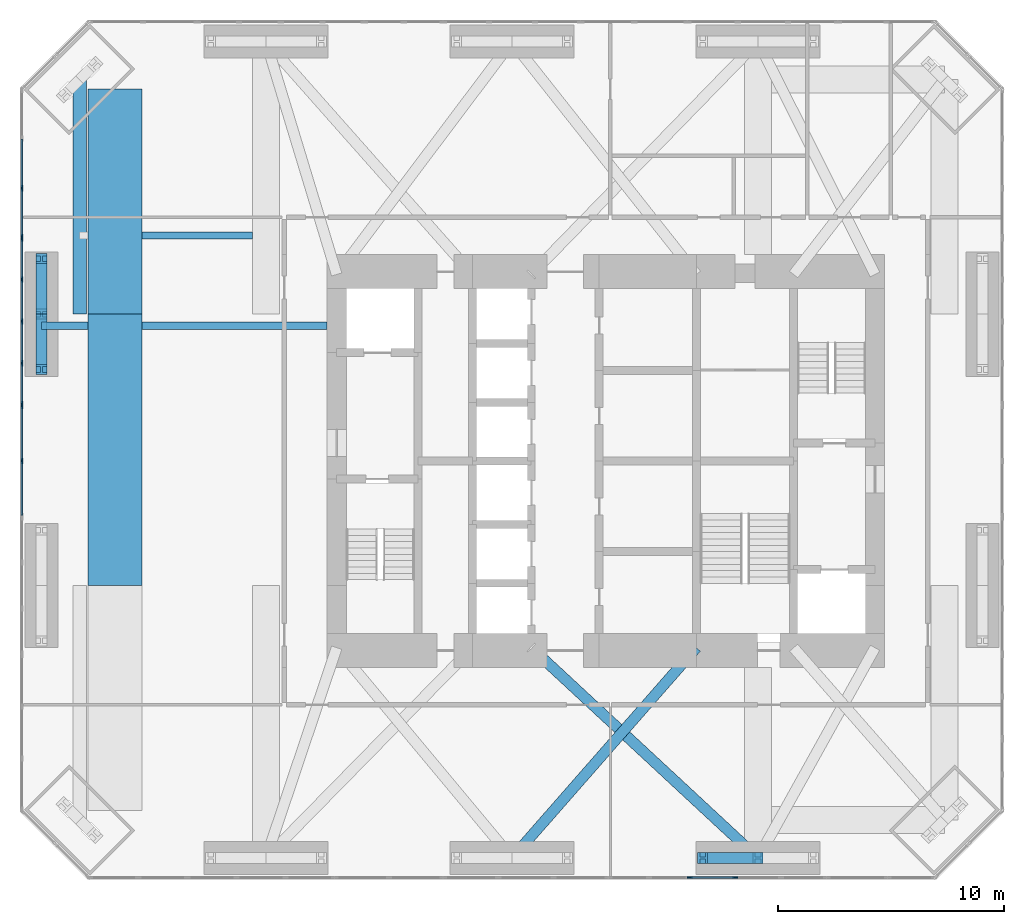
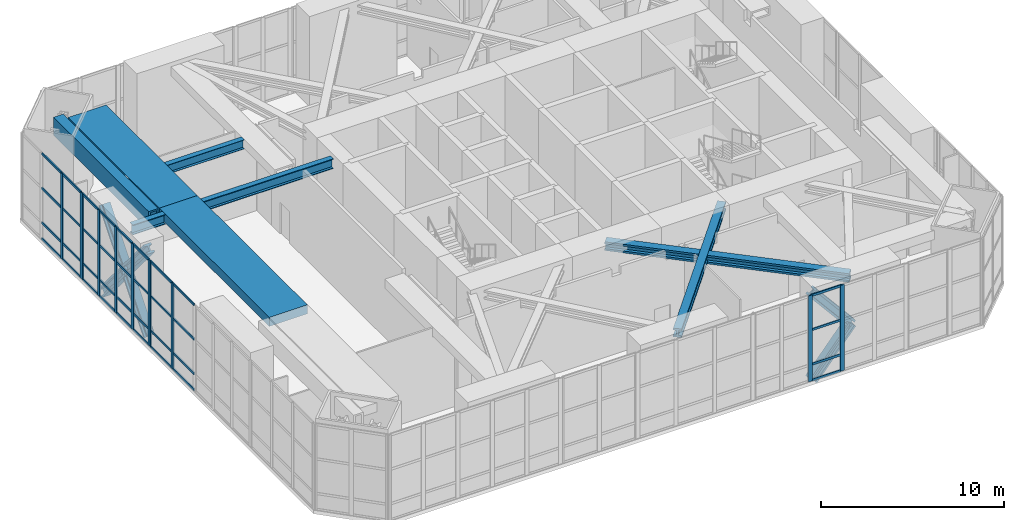
# One storey, part 4 of 18: 55 members, 6 beams, 4 elements without a shape of their own.
"""IFC4 building model written with IfcOpenShell, lengths in metres."""

from ifc_helpers import new_model, si_unit, direction, frame, origin, origin_2d, place, context, subcontext, project, spatial, rectangle, hollow_rectangle, i_section, extrude, material, material_profile, profile_set, type_object, element, aggregate, save


model = new_model("IFC4")

# Units and contexts
model_context = context("Model", 3, precision=1e-05, world=origin(), true_north=direction((0.0, 1.0)))
body_context = subcontext(model_context, "Body", "Model", "MODEL_VIEW")
ifc_project = project(units=[si_unit("LENGTHUNIT", "METRE"), si_unit("AREAUNIT", "SQUARE_METRE"), si_unit("VOLUMEUNIT", "CUBIC_METRE"), si_unit("PLANEANGLEUNIT", "RADIAN"), si_unit("MASSUNIT", "GRAM", prefix="KILO")], contexts=[model_context])

# Site, building, storey
site_placement = place(None, origin())
site = spatial("IfcSite", under=ifc_project, at=site_placement, CompositionType="ELEMENT")
building_placement = place(site_placement, origin())
building = spatial("IfcBuilding", under=site, at=building_placement, Name="Jalousie Tower", CompositionType="ELEMENT")
storey_placement = place(building_placement, frame((0.0, 0.0, 138.35009765625)))
storey = spatial("IfcBuildingStorey", under=building, at=storey_placement, Name="L38", CompositionType="ELEMENT", Elevation=138.35009765625)

# Members
ifc_material_1 = material(Name="Steel ASTM A992 Grade 50", Category="steel")
ifc_material_profile_1 = material_profile(ifc_material_1, i_section(OverallWidth=0.472412109375, OverallDepth=0.5791015625, WebThickness=0.094970703125, FlangeThickness=0.1298828125, at=origin_2d()), Name="W14X808")
ifc_profile_set_1 = profile_set([ifc_material_profile_1], Name="Steel ASTM A992 Grade 50")
member_type_1 = type_object("IfcMemberType", Name="KINK FLOOR TRUSS DIAGONAL W14X808", PredefinedType="BRACE", material=ifc_profile_set_1)
member_1_placement = place(storey_placement, frame((27.75, 0.949951171875, 5.430419921875), z_axis=(0.659070512372, 0.752081152351, 0.0), x_axis=(-0.752081152351, 0.659070512372, 0.0)))
element("IfcMember", 1, at=member_1_placement, inside=storey, type_object=member_type_1, Name="Kink floor truss L39 03 diagonal", PredefinedType="BRACE", context=body_context, shape_type="SweptSolid", body=[
    extrude(i_section(OverallWidth=0.472412109375, OverallDepth=0.5791015625, WebThickness=0.094970703125, FlangeThickness=0.1298828125, at=origin_2d()), origin(), (0.0, 0.0, 1.0), 12.36572265625),
])
member_2_placement = place(storey_placement, frame((38.625, 0.949951171875, 5.430419921875), z_axis=(-0.733113898794, 0.680105882489, 0.0), x_axis=(-0.680105882489, -0.733113898794, 0.0)))
element("IfcMember", 2, at=member_2_placement, inside=storey, type_object=member_type_1, Name="Kink floor truss L39 04 diagonal", PredefinedType="BRACE", context=body_context, shape_type="SweptSolid", body=[
    extrude(i_section(OverallWidth=0.472412109375, OverallDepth=0.5791015625, WebThickness=0.094970703125, FlangeThickness=0.1298828125, at=origin_2d()), origin(), (0.0, 0.0, 1.0), 13.67431640625),
])

# Beam
ifc_material_2 = material(Name="Steel ASTM A572 Grade 50 plate", Category="steel")
ifc_material_profile_2 = material_profile(ifc_material_2, hollow_rectangle(XDim=0.60009765625, YDim=1.199951171875, WallThickness=0.10009765625, at=origin_2d()), Name="BOX 1200x600x100")
ifc_profile_set_2 = profile_set([ifc_material_profile_2], Name="Steel ASTM A572 Grade 50 plate")
beam_type_1 = type_object("IfcBeamType", Name="KINK TIE BOX 1200x600x100", PredefinedType="BEAM", material=ifc_profile_set_2)
beam_1_placement = place(storey_placement, frame((8.63134765625, 35.36865234375, 5.119873046875), z_axis=(0.0, -1.0, 0.0), x_axis=(1.0, 0.0, 0.0)))
element("IfcBeam", 3, at=beam_1_placement, inside=storey, type_object=beam_type_1, Name="Kink tie under L39", PredefinedType="BEAM", context=body_context, shape_type="SweptSolid", body=[
    extrude(hollow_rectangle(XDim=0.60009765625, YDim=1.199951171875, WallThickness=0.10009765625, at=origin_2d()), origin(), (0.0, 0.0, 1.0), 10.36865234375),
])

# Members
ifc_material_3 = material(Name="Steel ASTM A992 Grade 50", Category="steel")
ifc_material_profile_3 = material_profile(ifc_material_3, i_section(OverallWidth=0.472412109375, OverallDepth=0.5791015625, WebThickness=0.094970703125, FlangeThickness=0.1298828125, at=origin_2d()), Name="W14X808")
ifc_profile_set_3 = profile_set([ifc_material_profile_3], Name="Steel ASTM A992 Grade 50")
member_type_2 = type_object("IfcMemberType", Name="PERIMETER BRACE W14X808", PredefinedType="BRACE", material=ifc_profile_set_3)
for number, where, z_axis, x_axis, name in (
    (4, (36.175048828125, 0.949951171875, -0.60009765625), (0.642101988506, 0.0, 0.766619225141), (0.0, 1.0, 0.0), "Perimeter brace 04 L38 part 1"),
    (5, (38.625, 0.949951171875, 2.324951171875), (-0.642101988506, 0.0, 0.766619225141), (0.0, -1.0, 0.0), "Perimeter brace 04 L38 part 4"),
    (6, (6.949951171875, 22.550048828125, -0.60009765625), (0.0, 0.642101988506, 0.766619225141), (-1.0, 0.0, 0.0), "Perimeter brace 13 L38 part 1"),
    (7, (6.949951171875, 25.0, 2.324951171875), (0.0, 0.642101988506, 0.766619225141), (-1.0, 0.0, 0.0), "Perimeter brace 13 L38 part 2"),
    (8, (6.949951171875, 27.449951171875, -0.60009765625), (0.0, -0.642101988506, 0.766619225141), (1.0, 0.0, 0.0), "Perimeter brace 13 L38 part 3"),
    (9, (6.949951171875, 25.0, 2.324951171875), (0.0, -0.642101988506, 0.766619225141), (1.0, 0.0, 0.0), "Perimeter brace 13 L38 part 4"),
):
    element("IfcMember", number, at=place(storey_placement, frame(where, z_axis=z_axis, x_axis=x_axis)), inside=storey, type_object=member_type_2, Name=name, PredefinedType="BRACE", context=body_context, shape_type="SweptSolid", body=[
        extrude(i_section(OverallWidth=0.472412109375, OverallDepth=0.5791015625, WebThickness=0.094970703125, FlangeThickness=0.1298828125, at=origin_2d()), origin(), (0.0, 0.0, 1.0), 3.8154296875),
    ])

# Beams
ifc_material_4 = material(Name="Steel ASTM A992 Grade 50", Category="steel")
ifc_material_profile_4 = material_profile(ifc_material_4, i_section(OverallWidth=0.3251953125, OverallDepth=0.612060546875, WebThickness=0.0126953125, FlangeThickness=0.01904296875, at=origin_2d()), Name="W24X104")
ifc_profile_set_4 = profile_set([ifc_material_profile_4], Name="Steel ASTM A992 Grade 50")
beam_type_2 = type_object("IfcBeamType", Name="PLANT FLOOR BEAM W24X104", PredefinedType="BEAM", material=ifc_profile_set_4)
beam_2_placement = place(storey_placement, frame((11.39990234375, 28.47509765625, 5.413818359375), z_axis=(1.0, 0.0, 0.0), x_axis=(0.0, 1.0, 0.0)))
element("IfcBeam", 10, at=beam_2_placement, inside=storey, type_object=beam_type_2, Name="Plant floor beam under Electrical plant room L39", PredefinedType="BEAM", context=body_context, shape_type="SweptSolid", body=[
    extrude(i_section(OverallWidth=0.3251953125, OverallDepth=0.612060546875, WebThickness=0.0126953125, FlangeThickness=0.01904296875, at=origin_2d()), origin(), (0.0, 0.0, 1.0), 4.875),
])
ifc_material_5 = material(Name="Steel ASTM A992 Grade 50", Category="steel")
ifc_material_profile_5 = material_profile(ifc_material_5, i_section(OverallWidth=0.332763671875, OverallDepth=0.660400390625, WebThickness=0.0244140625, FlangeThickness=0.0439453125, at=origin_2d()), Name="W24X229")
ifc_profile_set_5 = profile_set([ifc_material_profile_5], Name="Steel ASTM A992 Grade 50")
beam_type_3 = type_object("IfcBeamType", Name="PLANT FLOOR BEAM W24X229", PredefinedType="BEAM", material=ifc_profile_set_5)
beam_3_placement = place(storey_placement, frame((6.949951171875, 24.485107421875, 5.3896484375), z_axis=(1.0, 0.0, 0.0), x_axis=(0.0, 1.0, 0.0)))
element("IfcBeam", 11, at=beam_3_placement, inside=storey, type_object=beam_type_3, Name="Plant floor beam under Electrical plant room L39", PredefinedType="BEAM", context=body_context, shape_type="SweptSolid", body=[
    extrude(i_section(OverallWidth=0.332763671875, OverallDepth=0.660400390625, WebThickness=0.0244140625, FlangeThickness=0.0439453125, at=origin_2d()), origin(), (0.0, 0.0, 1.0), 2.050048828125),
])
beam_4_placement = place(storey_placement, frame((11.39990234375, 24.485107421875, 5.3896484375), z_axis=(1.0, 0.0, 0.0), x_axis=(0.0, 1.0, 0.0)))
element("IfcBeam", 12, at=beam_4_placement, inside=storey, type_object=beam_type_3, Name="Plant floor beam under Electrical plant room L39", PredefinedType="BEAM", context=body_context, shape_type="SweptSolid", body=[
    extrude(i_section(OverallWidth=0.332763671875, OverallDepth=0.660400390625, WebThickness=0.0244140625, FlangeThickness=0.0439453125, at=origin_2d()), origin(), (0.0, 0.0, 1.0), 8.175048828125),
])
ifc_material_6 = material(Name="Concrete f'c 40 MPa", Category="concrete")
ifc_material_profile_6 = material_profile(ifc_material_6, rectangle(XDim=2.39990234375, YDim=0.60009765625, at=origin_2d()), Name="RC 2400x600")
ifc_profile_set_6 = profile_set([ifc_material_profile_6], Name="Concrete f'c 40 MPa")
beam_type_4 = type_object("IfcBeamType", Name="RC BEAM 2400x600", PredefinedType="BEAM", material=ifc_profile_set_6)
beam_5_placement = place(storey_placement, frame((10.199951171875, 13.0, 5.419921875), z_axis=(0.0, 1.0, 0.0), x_axis=(-1.0, 0.0, 0.0)))
element("IfcBeam", 13, at=beam_5_placement, inside=storey, type_object=beam_type_4, Name="Floor band beam under L39", PredefinedType="BEAM", context=body_context, shape_type="SweptSolid", body=[
    extrude(rectangle(XDim=2.39990234375, YDim=0.60009765625, at=origin_2d()), origin(), (0.0, 0.0, 1.0), 12.0),
])
beam_6_placement = place(storey_placement, frame((10.199951171875, 25.0, 5.419921875), z_axis=(0.0, 1.0, 0.0), x_axis=(-1.0, 0.0, 0.0)))
element("IfcBeam", 14, at=beam_6_placement, inside=storey, type_object=beam_type_4, Name="Floor band beam under L39", PredefinedType="BEAM", context=body_context, shape_type="SweptSolid", body=[
    extrude(rectangle(XDim=2.39990234375, YDim=0.60009765625, at=origin_2d()), origin(), (0.0, 0.0, 1.0), 9.957275390625),
])

# Curtain wall, members
ifc_material_7 = material(Name="Aluminium curtain wall", Category="aluminium")
curtain_wall_type_1 = type_object("IfcCurtainWallType", Name="SKY LOUNGE SPANDREL WALL", PredefinedType="USERDEFINED", material=ifc_material_7)
curtain_wall_1_placement = place(storey_placement, origin())
curtain_wall_1 = element("IfcCurtainWall", 15, at=curtain_wall_1_placement, inside=storey, type_object=curtain_wall_type_1, Name="Sky Lounge Spandrel Wall L38 5", ObjectType="SKY LOUNGE SPANDREL WALL", PredefinedType="USERDEFINED")
ifc_material_8 = material(Name="Aluminium mullion", Category="aluminium")
ifc_material_profile_7 = material_profile(ifc_material_8, rectangle(XDim=0.074951171875, YDim=0.25, at=origin_2d()), Name="MULLION 75x250")
ifc_profile_set_7 = profile_set([ifc_material_profile_7], Name="Aluminium mullion")
member_type_3 = type_object("IfcMemberType", Name="SKY LOUNGE SPANDREL WALL MULLION", PredefinedType="MULLION", material=ifc_profile_set_7)
member_3_placement = place(storey_placement, frame((35.622802734375, 0.08740234375, 0.0), z_axis=(0.0, 0.0, 1.0), x_axis=(0.0, 1.0, 0.0)))
member_3 = element("IfcMember", 16, at=member_3_placement, type_object=member_type_3, Name="CW-KS mullion 1", PredefinedType="MULLION", context=body_context, shape_type="SweptSolid", body=[
    extrude(rectangle(XDim=0.074951171875, YDim=0.25, at=origin_2d()), origin(), (0.0, 0.0, 1.0), 5.719970703125),
])
member_4_placement = place(storey_placement, frame((37.61181640625, 0.08740234375, 0.0), z_axis=(0.0, 0.0, 1.0), x_axis=(0.0, 1.0, 0.0)))
member_4 = element("IfcMember", 17, at=member_4_placement, type_object=member_type_3, Name="CW-KS mullion 2", PredefinedType="MULLION", context=body_context, shape_type="SweptSolid", body=[
    extrude(rectangle(XDim=0.074951171875, YDim=0.25, at=origin_2d()), origin(), (0.0, 0.0, 1.0), 5.719970703125),
])

curtain_wall_2_placement = place(storey_placement, origin())
curtain_wall_2 = element("IfcCurtainWall", 18, at=curtain_wall_2_placement, inside=storey, type_object=curtain_wall_type_1, Name="Sky Lounge Spandrel Wall L38 62", ObjectType="SKY LOUNGE SPANDREL WALL", PredefinedType="USERDEFINED")
member_5_placement = place(storey_placement, frame((6.08740234375, 28.335205078125, 0.0), z_axis=(0.0, 0.0, 1.0), x_axis=(1.0, 0.0, 0.0)))
member_5 = element("IfcMember", 19, at=member_5_placement, type_object=member_type_3, Name="CW-KS mullion 1", PredefinedType="MULLION", context=body_context, shape_type="SweptSolid", body=[
    extrude(rectangle(XDim=0.074951171875, YDim=0.25, at=origin_2d()), origin(), (0.0, 0.0, 1.0), 5.719970703125),
])
member_6_placement = place(storey_placement, frame((6.08740234375, 26.5244140625, 0.0), z_axis=(0.0, 0.0, 1.0), x_axis=(1.0, 0.0, 0.0)))
member_6 = element("IfcMember", 20, at=member_6_placement, type_object=member_type_3, Name="CW-KS mullion 2", PredefinedType="MULLION", context=body_context, shape_type="SweptSolid", body=[
    extrude(rectangle(XDim=0.074951171875, YDim=0.25, at=origin_2d()), origin(), (0.0, 0.0, 1.0), 5.719970703125),
])
member_7_placement = place(storey_placement, frame((6.08740234375, 24.67626953125, 0.0), z_axis=(0.0, 0.0, 1.0), x_axis=(1.0, 0.0, 0.0)))
member_7 = element("IfcMember", 21, at=member_7_placement, type_object=member_type_3, Name="CW-KS mullion 3", PredefinedType="MULLION", context=body_context, shape_type="SweptSolid", body=[
    extrude(rectangle(XDim=0.074951171875, YDim=0.25, at=origin_2d()), origin(), (0.0, 0.0, 1.0), 5.719970703125),
])
member_8_placement = place(storey_placement, frame((6.08740234375, 22.828125, 0.0), z_axis=(0.0, 0.0, 1.0), x_axis=(1.0, 0.0, 0.0)))
member_8 = element("IfcMember", 22, at=member_8_placement, type_object=member_type_3, Name="CW-KS mullion 4", PredefinedType="MULLION", context=body_context, shape_type="SweptSolid", body=[
    extrude(rectangle(XDim=0.074951171875, YDim=0.25, at=origin_2d()), origin(), (0.0, 0.0, 1.0), 5.719970703125),
])
member_9_placement = place(storey_placement, frame((6.08740234375, 21.017578125, 0.0), z_axis=(0.0, 0.0, 1.0), x_axis=(1.0, 0.0, 0.0)))
member_9 = element("IfcMember", 23, at=member_9_placement, type_object=member_type_3, Name="CW-KS mullion 5", PredefinedType="MULLION", context=body_context, shape_type="SweptSolid", body=[
    extrude(rectangle(XDim=0.074951171875, YDim=0.25, at=origin_2d()), origin(), (0.0, 0.0, 1.0), 5.719970703125),
])

# Member
ifc_material_9 = material(Name="Aluminium transom", Category="aluminium")
ifc_material_profile_8 = material_profile(ifc_material_9, rectangle(XDim=0.074951171875, YDim=0.14990234375, at=origin_2d()), Name="TRANSOM 75x150")
ifc_profile_set_8 = profile_set([ifc_material_profile_8], Name="Aluminium transom")
member_type_4 = type_object("IfcMemberType", Name="SKY LOUNGE SPANDREL WALL TRANSOM", PredefinedType="USERDEFINED", material=ifc_profile_set_8)
member_10_placement = place(storey_placement, frame((35.660400390625, 0.08740234375, 0.037353515625), z_axis=(1.0, 0.0, 0.0), x_axis=(0.0, 1.0, 0.0)))
member_10 = element("IfcMember", 24, at=member_10_placement, type_object=member_type_4, Name="CW-KS transom 1.1", ObjectType="TRANSOM", PredefinedType="USERDEFINED", context=body_context, shape_type="SweptSolid", body=[
    extrude(rectangle(XDim=0.074951171875, YDim=0.14990234375, at=origin_2d()), origin(), (0.0, 0.0, 1.0), 1.913818359375),
])

member_11_placement = place(storey_placement, frame((35.660400390625, 0.08740234375, 1.099853515625), z_axis=(1.0, 0.0, 0.0), x_axis=(0.0, 1.0, 0.0)))
member_11 = element("IfcMember", 25, at=member_11_placement, type_object=member_type_4, Name="CW-KS transom 1.2", ObjectType="TRANSOM", PredefinedType="USERDEFINED", context=body_context, shape_type="SweptSolid", body=[
    extrude(rectangle(XDim=0.074951171875, YDim=0.14990234375, at=origin_2d()), origin(), (0.0, 0.0, 1.0), 1.913818359375),
])

member_12_placement = place(storey_placement, frame((35.660400390625, 0.08740234375, 3.39990234375), z_axis=(1.0, 0.0, 0.0), x_axis=(0.0, 1.0, 0.0)))
member_12 = element("IfcMember", 26, at=member_12_placement, type_object=member_type_4, Name="CW-KS transom 1.3", ObjectType="TRANSOM", PredefinedType="USERDEFINED", context=body_context, shape_type="SweptSolid", body=[
    extrude(rectangle(XDim=0.074951171875, YDim=0.14990234375, at=origin_2d()), origin(), (0.0, 0.0, 1.0), 1.913818359375),
])

member_13_placement = place(storey_placement, frame((35.660400390625, 0.08740234375, 5.682373046875), z_axis=(1.0, 0.0, 0.0), x_axis=(0.0, 1.0, 0.0)))
member_13 = element("IfcMember", 27, at=member_13_placement, type_object=member_type_4, Name="CW-KS transom 1.4", ObjectType="TRANSOM", PredefinedType="USERDEFINED", context=body_context, shape_type="SweptSolid", body=[
    extrude(rectangle(XDim=0.074951171875, YDim=0.14990234375, at=origin_2d()), origin(), (0.0, 0.0, 1.0), 1.913818359375),
])

aggregate(curtain_wall_1, [member_3, member_4, member_10, member_11, member_12, member_13])

member_14_placement = place(storey_placement, frame((6.08740234375, 28.297607421875, 0.037353515625), z_axis=(0.0, -1.0, 0.0), x_axis=(1.0, 0.0, 0.0)))
member_14 = element("IfcMember", 28, at=member_14_placement, type_object=member_type_4, Name="CW-KS transom 1.1", ObjectType="TRANSOM", PredefinedType="USERDEFINED", context=body_context, shape_type="SweptSolid", body=[
    extrude(rectangle(XDim=0.074951171875, YDim=0.14990234375, at=origin_2d()), origin(), (0.0, 0.0, 1.0), 1.735595703125),
])

member_15_placement = place(storey_placement, frame((6.08740234375, 28.297607421875, 1.099853515625), z_axis=(0.0, -1.0, 0.0), x_axis=(1.0, 0.0, 0.0)))
member_15 = element("IfcMember", 29, at=member_15_placement, type_object=member_type_4, Name="CW-KS transom 1.2", ObjectType="TRANSOM", PredefinedType="USERDEFINED", context=body_context, shape_type="SweptSolid", body=[
    extrude(rectangle(XDim=0.074951171875, YDim=0.14990234375, at=origin_2d()), origin(), (0.0, 0.0, 1.0), 1.735595703125),
])

member_16_placement = place(storey_placement, frame((6.08740234375, 28.297607421875, 3.39990234375), z_axis=(0.0, -1.0, 0.0), x_axis=(1.0, 0.0, 0.0)))
member_16 = element("IfcMember", 30, at=member_16_placement, type_object=member_type_4, Name="CW-KS transom 1.3", ObjectType="TRANSOM", PredefinedType="USERDEFINED", context=body_context, shape_type="SweptSolid", body=[
    extrude(rectangle(XDim=0.074951171875, YDim=0.14990234375, at=origin_2d()), origin(), (0.0, 0.0, 1.0), 1.735595703125),
])

member_17_placement = place(storey_placement, frame((6.08740234375, 28.297607421875, 5.682373046875), z_axis=(0.0, -1.0, 0.0), x_axis=(1.0, 0.0, 0.0)))
member_17 = element("IfcMember", 31, at=member_17_placement, type_object=member_type_4, Name="CW-KS transom 1.4", ObjectType="TRANSOM", PredefinedType="USERDEFINED", context=body_context, shape_type="SweptSolid", body=[
    extrude(rectangle(XDim=0.074951171875, YDim=0.14990234375, at=origin_2d()), origin(), (0.0, 0.0, 1.0), 1.735595703125),
])

member_18_placement = place(storey_placement, frame((6.08740234375, 26.487060546875, 0.037353515625), z_axis=(0.0, -1.0, 0.0), x_axis=(1.0, 0.0, 0.0)))
member_18 = element("IfcMember", 32, at=member_18_placement, type_object=member_type_4, Name="CW-KS transom 2.1", ObjectType="TRANSOM", PredefinedType="USERDEFINED", context=body_context, shape_type="SweptSolid", body=[
    extrude(rectangle(XDim=0.074951171875, YDim=0.14990234375, at=origin_2d()), origin(), (0.0, 0.0, 1.0), 1.773193359375),
])

member_19_placement = place(storey_placement, frame((6.08740234375, 26.487060546875, 1.099853515625), z_axis=(0.0, -1.0, 0.0), x_axis=(1.0, 0.0, 0.0)))
member_19 = element("IfcMember", 33, at=member_19_placement, type_object=member_type_4, Name="CW-KS transom 2.2", ObjectType="TRANSOM", PredefinedType="USERDEFINED", context=body_context, shape_type="SweptSolid", body=[
    extrude(rectangle(XDim=0.074951171875, YDim=0.14990234375, at=origin_2d()), origin(), (0.0, 0.0, 1.0), 1.773193359375),
])

member_20_placement = place(storey_placement, frame((6.08740234375, 26.487060546875, 3.39990234375), z_axis=(0.0, -1.0, 0.0), x_axis=(1.0, 0.0, 0.0)))
member_20 = element("IfcMember", 34, at=member_20_placement, type_object=member_type_4, Name="CW-KS transom 2.3", ObjectType="TRANSOM", PredefinedType="USERDEFINED", context=body_context, shape_type="SweptSolid", body=[
    extrude(rectangle(XDim=0.074951171875, YDim=0.14990234375, at=origin_2d()), origin(), (0.0, 0.0, 1.0), 1.773193359375),
])

member_21_placement = place(storey_placement, frame((6.08740234375, 26.487060546875, 5.682373046875), z_axis=(0.0, -1.0, 0.0), x_axis=(1.0, 0.0, 0.0)))
member_21 = element("IfcMember", 35, at=member_21_placement, type_object=member_type_4, Name="CW-KS transom 2.4", ObjectType="TRANSOM", PredefinedType="USERDEFINED", context=body_context, shape_type="SweptSolid", body=[
    extrude(rectangle(XDim=0.074951171875, YDim=0.14990234375, at=origin_2d()), origin(), (0.0, 0.0, 1.0), 1.773193359375),
])

member_22_placement = place(storey_placement, frame((6.08740234375, 24.638916015625, 0.037353515625), z_axis=(0.0, -1.0, 0.0), x_axis=(1.0, 0.0, 0.0)))
member_22 = element("IfcMember", 36, at=member_22_placement, type_object=member_type_4, Name="CW-KS transom 3.1", ObjectType="TRANSOM", PredefinedType="USERDEFINED", context=body_context, shape_type="SweptSolid", body=[
    extrude(rectangle(XDim=0.074951171875, YDim=0.14990234375, at=origin_2d()), origin(), (0.0, 0.0, 1.0), 1.773193359375),
])

member_23_placement = place(storey_placement, frame((6.08740234375, 24.638916015625, 1.099853515625), z_axis=(0.0, -1.0, 0.0), x_axis=(1.0, 0.0, 0.0)))
member_23 = element("IfcMember", 37, at=member_23_placement, type_object=member_type_4, Name="CW-KS transom 3.2", ObjectType="TRANSOM", PredefinedType="USERDEFINED", context=body_context, shape_type="SweptSolid", body=[
    extrude(rectangle(XDim=0.074951171875, YDim=0.14990234375, at=origin_2d()), origin(), (0.0, 0.0, 1.0), 1.773193359375),
])

member_24_placement = place(storey_placement, frame((6.08740234375, 24.638916015625, 3.39990234375), z_axis=(0.0, -1.0, 0.0), x_axis=(1.0, 0.0, 0.0)))
member_24 = element("IfcMember", 38, at=member_24_placement, type_object=member_type_4, Name="CW-KS transom 3.3", ObjectType="TRANSOM", PredefinedType="USERDEFINED", context=body_context, shape_type="SweptSolid", body=[
    extrude(rectangle(XDim=0.074951171875, YDim=0.14990234375, at=origin_2d()), origin(), (0.0, 0.0, 1.0), 1.773193359375),
])

member_25_placement = place(storey_placement, frame((6.08740234375, 24.638916015625, 5.682373046875), z_axis=(0.0, -1.0, 0.0), x_axis=(1.0, 0.0, 0.0)))
member_25 = element("IfcMember", 39, at=member_25_placement, type_object=member_type_4, Name="CW-KS transom 3.4", ObjectType="TRANSOM", PredefinedType="USERDEFINED", context=body_context, shape_type="SweptSolid", body=[
    extrude(rectangle(XDim=0.074951171875, YDim=0.14990234375, at=origin_2d()), origin(), (0.0, 0.0, 1.0), 1.773193359375),
])

member_26_placement = place(storey_placement, frame((6.08740234375, 22.790771484375, 0.037353515625), z_axis=(0.0, -1.0, 0.0), x_axis=(1.0, 0.0, 0.0)))
member_26 = element("IfcMember", 40, at=member_26_placement, type_object=member_type_4, Name="CW-KS transom 4.1", ObjectType="TRANSOM", PredefinedType="USERDEFINED", context=body_context, shape_type="SweptSolid", body=[
    extrude(rectangle(XDim=0.074951171875, YDim=0.14990234375, at=origin_2d()), origin(), (0.0, 0.0, 1.0), 1.73583984375),
])

member_27_placement = place(storey_placement, frame((6.08740234375, 22.790771484375, 1.099853515625), z_axis=(0.0, -1.0, 0.0), x_axis=(1.0, 0.0, 0.0)))
member_27 = element("IfcMember", 41, at=member_27_placement, type_object=member_type_4, Name="CW-KS transom 4.2", ObjectType="TRANSOM", PredefinedType="USERDEFINED", context=body_context, shape_type="SweptSolid", body=[
    extrude(rectangle(XDim=0.074951171875, YDim=0.14990234375, at=origin_2d()), origin(), (0.0, 0.0, 1.0), 1.73583984375),
])

member_28_placement = place(storey_placement, frame((6.08740234375, 22.790771484375, 3.39990234375), z_axis=(0.0, -1.0, 0.0), x_axis=(1.0, 0.0, 0.0)))
member_28 = element("IfcMember", 42, at=member_28_placement, type_object=member_type_4, Name="CW-KS transom 4.3", ObjectType="TRANSOM", PredefinedType="USERDEFINED", context=body_context, shape_type="SweptSolid", body=[
    extrude(rectangle(XDim=0.074951171875, YDim=0.14990234375, at=origin_2d()), origin(), (0.0, 0.0, 1.0), 1.73583984375),
])

member_29_placement = place(storey_placement, frame((6.08740234375, 22.790771484375, 5.682373046875), z_axis=(0.0, -1.0, 0.0), x_axis=(1.0, 0.0, 0.0)))
member_29 = element("IfcMember", 43, at=member_29_placement, type_object=member_type_4, Name="CW-KS transom 4.4", ObjectType="TRANSOM", PredefinedType="USERDEFINED", context=body_context, shape_type="SweptSolid", body=[
    extrude(rectangle(XDim=0.074951171875, YDim=0.14990234375, at=origin_2d()), origin(), (0.0, 0.0, 1.0), 1.73583984375),
])

aggregate(curtain_wall_2, [member_5, member_6, member_7, member_8, member_9, member_14, member_15, member_16, member_17, member_18, member_19, member_20, member_21, member_22, member_23, member_24, member_25, member_26, member_27, member_28, member_29])

# Curtain wall, members
ifc_material_10 = material(Name="Aluminium curtain wall", Category="aluminium")
curtain_wall_type_2 = type_object("IfcCurtainWallType", Name="SKY LOUNGE WINDOW WALL", PredefinedType="USERDEFINED", material=ifc_material_10)
curtain_wall_3_placement = place(storey_placement, origin())
curtain_wall_3 = element("IfcCurtainWall", 44, at=curtain_wall_3_placement, inside=storey, type_object=curtain_wall_type_2, Name="Sky Lounge Window Wall L38 61", ObjectType="SKY LOUNGE WINDOW WALL", PredefinedType="USERDEFINED")
ifc_material_11 = material(Name="Aluminium mullion", Category="aluminium")
ifc_material_profile_9 = material_profile(ifc_material_11, rectangle(XDim=0.074951171875, YDim=0.25, at=origin_2d()), Name="MULLION 75x250")
ifc_profile_set_9 = profile_set([ifc_material_profile_9], Name="Aluminium mullion")
member_type_5 = type_object("IfcMemberType", Name="SKY LOUNGE WINDOW WALL MULLION", PredefinedType="MULLION", material=ifc_profile_set_9)
member_30_placement = place(storey_placement, frame((6.08740234375, 30.564697265625, 0.0), z_axis=(0.0, 0.0, 1.0), x_axis=(1.0, 0.0, 0.0)))
member_30 = element("IfcMember", 45, at=member_30_placement, type_object=member_type_5, Name="CW-K mullion 3", PredefinedType="MULLION", context=body_context, shape_type="SweptSolid", body=[
    extrude(rectangle(XDim=0.074951171875, YDim=0.25, at=origin_2d()), origin(), (0.0, 0.0, 1.0), 5.719970703125),
])
member_31_placement = place(storey_placement, frame((6.08740234375, 28.41015625, 0.0), z_axis=(0.0, 0.0, 1.0), x_axis=(1.0, 0.0, 0.0)))
member_31 = element("IfcMember", 46, at=member_31_placement, type_object=member_type_5, Name="CW-K mullion 4", PredefinedType="MULLION", context=body_context, shape_type="SweptSolid", body=[
    extrude(rectangle(XDim=0.074951171875, YDim=0.25, at=origin_2d()), origin(), (0.0, 0.0, 1.0), 5.719970703125),
])

curtain_wall_4_placement = place(storey_placement, origin())
curtain_wall_4 = element("IfcCurtainWall", 47, at=curtain_wall_4_placement, inside=storey, type_object=curtain_wall_type_2, Name="Sky Lounge Window Wall L38 63", ObjectType="SKY LOUNGE WINDOW WALL", PredefinedType="USERDEFINED")
member_32_placement = place(storey_placement, frame((6.08740234375, 20.9423828125, 0.0), z_axis=(0.0, 0.0, 1.0), x_axis=(1.0, 0.0, 0.0)))
member_32 = element("IfcMember", 48, at=member_32_placement, type_object=member_type_5, Name="CW-K mullion 1", PredefinedType="MULLION", context=body_context, shape_type="SweptSolid", body=[
    extrude(rectangle(XDim=0.074951171875, YDim=0.25, at=origin_2d()), origin(), (0.0, 0.0, 1.0), 5.719970703125),
])
member_33_placement = place(storey_placement, frame((6.08740234375, 18.509765625, 0.0), z_axis=(0.0, 0.0, 1.0), x_axis=(1.0, 0.0, 0.0)))
member_33 = element("IfcMember", 49, at=member_33_placement, type_object=member_type_5, Name="CW-K mullion 2", PredefinedType="MULLION", context=body_context, shape_type="SweptSolid", body=[
    extrude(rectangle(XDim=0.074951171875, YDim=0.25, at=origin_2d()), origin(), (0.0, 0.0, 1.0), 5.719970703125),
])

# Member
ifc_material_12 = material(Name="Aluminium transom", Category="aluminium")
ifc_material_profile_10 = material_profile(ifc_material_12, rectangle(XDim=0.074951171875, YDim=0.14990234375, at=origin_2d()), Name="TRANSOM 75x150")
ifc_profile_set_10 = profile_set([ifc_material_profile_10], Name="Aluminium transom")
member_type_6 = type_object("IfcMemberType", Name="SKY LOUNGE WINDOW WALL TRANSOM", PredefinedType="USERDEFINED", material=ifc_profile_set_10)
member_34_placement = place(storey_placement, frame((6.08740234375, 32.71923828125, 0.037353515625), z_axis=(0.0, -1.0, 0.0), x_axis=(1.0, 0.0, 0.0)))
member_34 = element("IfcMember", 50, at=member_34_placement, type_object=member_type_6, Name="CW-K transom 2.1", ObjectType="TRANSOM", PredefinedType="USERDEFINED", context=body_context, shape_type="SweptSolid", body=[
    extrude(rectangle(XDim=0.074951171875, YDim=0.14990234375, at=origin_2d()), origin(), (0.0, 0.0, 1.0), 2.1171875),
])

member_35_placement = place(storey_placement, frame((6.08740234375, 32.71923828125, 1.099853515625), z_axis=(0.0, -1.0, 0.0), x_axis=(1.0, 0.0, 0.0)))
member_35 = element("IfcMember", 51, at=member_35_placement, type_object=member_type_6, Name="CW-K transom 2.2", ObjectType="TRANSOM", PredefinedType="USERDEFINED", context=body_context, shape_type="SweptSolid", body=[
    extrude(rectangle(XDim=0.074951171875, YDim=0.14990234375, at=origin_2d()), origin(), (0.0, 0.0, 1.0), 2.1171875),
])

member_36_placement = place(storey_placement, frame((6.08740234375, 32.71923828125, 3.39990234375), z_axis=(0.0, -1.0, 0.0), x_axis=(1.0, 0.0, 0.0)))
member_36 = element("IfcMember", 52, at=member_36_placement, type_object=member_type_6, Name="CW-K transom 2.3", ObjectType="TRANSOM", PredefinedType="USERDEFINED", context=body_context, shape_type="SweptSolid", body=[
    extrude(rectangle(XDim=0.074951171875, YDim=0.14990234375, at=origin_2d()), origin(), (0.0, 0.0, 1.0), 2.1171875),
])

member_37_placement = place(storey_placement, frame((6.08740234375, 32.71923828125, 5.682373046875), z_axis=(0.0, -1.0, 0.0), x_axis=(1.0, 0.0, 0.0)))
member_37 = element("IfcMember", 53, at=member_37_placement, type_object=member_type_6, Name="CW-K transom 2.4", ObjectType="TRANSOM", PredefinedType="USERDEFINED", context=body_context, shape_type="SweptSolid", body=[
    extrude(rectangle(XDim=0.074951171875, YDim=0.14990234375, at=origin_2d()), origin(), (0.0, 0.0, 1.0), 2.1171875),
])

member_38_placement = place(storey_placement, frame((6.08740234375, 30.527099609375, 0.037353515625), z_axis=(0.0, -1.0, 0.0), x_axis=(1.0, 0.0, 0.0)))
member_38 = element("IfcMember", 54, at=member_38_placement, type_object=member_type_6, Name="CW-K transom 3.1", ObjectType="TRANSOM", PredefinedType="USERDEFINED", context=body_context, shape_type="SweptSolid", body=[
    extrude(rectangle(XDim=0.074951171875, YDim=0.14990234375, at=origin_2d()), origin(), (0.0, 0.0, 1.0), 2.07958984375),
])

member_39_placement = place(storey_placement, frame((6.08740234375, 30.527099609375, 1.099853515625), z_axis=(0.0, -1.0, 0.0), x_axis=(1.0, 0.0, 0.0)))
member_39 = element("IfcMember", 55, at=member_39_placement, type_object=member_type_6, Name="CW-K transom 3.2", ObjectType="TRANSOM", PredefinedType="USERDEFINED", context=body_context, shape_type="SweptSolid", body=[
    extrude(rectangle(XDim=0.074951171875, YDim=0.14990234375, at=origin_2d()), origin(), (0.0, 0.0, 1.0), 2.07958984375),
])

member_40_placement = place(storey_placement, frame((6.08740234375, 30.527099609375, 3.39990234375), z_axis=(0.0, -1.0, 0.0), x_axis=(1.0, 0.0, 0.0)))
member_40 = element("IfcMember", 56, at=member_40_placement, type_object=member_type_6, Name="CW-K transom 3.3", ObjectType="TRANSOM", PredefinedType="USERDEFINED", context=body_context, shape_type="SweptSolid", body=[
    extrude(rectangle(XDim=0.074951171875, YDim=0.14990234375, at=origin_2d()), origin(), (0.0, 0.0, 1.0), 2.07958984375),
])

member_41_placement = place(storey_placement, frame((6.08740234375, 30.527099609375, 5.682373046875), z_axis=(0.0, -1.0, 0.0), x_axis=(1.0, 0.0, 0.0)))
member_41 = element("IfcMember", 57, at=member_41_placement, type_object=member_type_6, Name="CW-K transom 3.4", ObjectType="TRANSOM", PredefinedType="USERDEFINED", context=body_context, shape_type="SweptSolid", body=[
    extrude(rectangle(XDim=0.074951171875, YDim=0.14990234375, at=origin_2d()), origin(), (0.0, 0.0, 1.0), 2.07958984375),
])

aggregate(curtain_wall_3, [member_30, member_31, member_34, member_35, member_36, member_37, member_38, member_39, member_40, member_41])

member_42_placement = place(storey_placement, frame((6.08740234375, 20.905029296875, 0.037353515625), z_axis=(0.0, -1.0, 0.0), x_axis=(1.0, 0.0, 0.0)))
member_42 = element("IfcMember", 58, at=member_42_placement, type_object=member_type_6, Name="CW-K transom 1.1", ObjectType="TRANSOM", PredefinedType="USERDEFINED", context=body_context, shape_type="SweptSolid", body=[
    extrude(rectangle(XDim=0.074951171875, YDim=0.14990234375, at=origin_2d()), origin(), (0.0, 0.0, 1.0), 2.357666015625),
])

member_43_placement = place(storey_placement, frame((6.08740234375, 20.905029296875, 1.099853515625), z_axis=(0.0, -1.0, 0.0), x_axis=(1.0, 0.0, 0.0)))
member_43 = element("IfcMember", 59, at=member_43_placement, type_object=member_type_6, Name="CW-K transom 1.2", ObjectType="TRANSOM", PredefinedType="USERDEFINED", context=body_context, shape_type="SweptSolid", body=[
    extrude(rectangle(XDim=0.074951171875, YDim=0.14990234375, at=origin_2d()), origin(), (0.0, 0.0, 1.0), 2.357666015625),
])

member_44_placement = place(storey_placement, frame((6.08740234375, 20.905029296875, 3.39990234375), z_axis=(0.0, -1.0, 0.0), x_axis=(1.0, 0.0, 0.0)))
member_44 = element("IfcMember", 60, at=member_44_placement, type_object=member_type_6, Name="CW-K transom 1.3", ObjectType="TRANSOM", PredefinedType="USERDEFINED", context=body_context, shape_type="SweptSolid", body=[
    extrude(rectangle(XDim=0.074951171875, YDim=0.14990234375, at=origin_2d()), origin(), (0.0, 0.0, 1.0), 2.357666015625),
])

member_45_placement = place(storey_placement, frame((6.08740234375, 20.905029296875, 5.682373046875), z_axis=(0.0, -1.0, 0.0), x_axis=(1.0, 0.0, 0.0)))
member_45 = element("IfcMember", 61, at=member_45_placement, type_object=member_type_6, Name="CW-K transom 1.4", ObjectType="TRANSOM", PredefinedType="USERDEFINED", context=body_context, shape_type="SweptSolid", body=[
    extrude(rectangle(XDim=0.074951171875, YDim=0.14990234375, at=origin_2d()), origin(), (0.0, 0.0, 1.0), 2.357666015625),
])

member_46_placement = place(storey_placement, frame((6.08740234375, 18.47216796875, 0.037353515625), z_axis=(0.0, -1.0, 0.0), x_axis=(1.0, 0.0, 0.0)))
member_46 = element("IfcMember", 62, at=member_46_placement, type_object=member_type_6, Name="CW-K transom 2.1", ObjectType="TRANSOM", PredefinedType="USERDEFINED", context=body_context, shape_type="SweptSolid", body=[
    extrude(rectangle(XDim=0.074951171875, YDim=0.14990234375, at=origin_2d()), origin(), (0.0, 0.0, 1.0), 2.357666015625),
])

member_47_placement = place(storey_placement, frame((6.08740234375, 18.47216796875, 1.099853515625), z_axis=(0.0, -1.0, 0.0), x_axis=(1.0, 0.0, 0.0)))
member_47 = element("IfcMember", 63, at=member_47_placement, type_object=member_type_6, Name="CW-K transom 2.2", ObjectType="TRANSOM", PredefinedType="USERDEFINED", context=body_context, shape_type="SweptSolid", body=[
    extrude(rectangle(XDim=0.074951171875, YDim=0.14990234375, at=origin_2d()), origin(), (0.0, 0.0, 1.0), 2.357666015625),
])

member_48_placement = place(storey_placement, frame((6.08740234375, 18.47216796875, 3.39990234375), z_axis=(0.0, -1.0, 0.0), x_axis=(1.0, 0.0, 0.0)))
member_48 = element("IfcMember", 64, at=member_48_placement, type_object=member_type_6, Name="CW-K transom 2.3", ObjectType="TRANSOM", PredefinedType="USERDEFINED", context=body_context, shape_type="SweptSolid", body=[
    extrude(rectangle(XDim=0.074951171875, YDim=0.14990234375, at=origin_2d()), origin(), (0.0, 0.0, 1.0), 2.357666015625),
])

member_49_placement = place(storey_placement, frame((6.08740234375, 18.47216796875, 5.682373046875), z_axis=(0.0, -1.0, 0.0), x_axis=(1.0, 0.0, 0.0)))
member_49 = element("IfcMember", 65, at=member_49_placement, type_object=member_type_6, Name="CW-K transom 2.4", ObjectType="TRANSOM", PredefinedType="USERDEFINED", context=body_context, shape_type="SweptSolid", body=[
    extrude(rectangle(XDim=0.074951171875, YDim=0.14990234375, at=origin_2d()), origin(), (0.0, 0.0, 1.0), 2.357666015625),
])

aggregate(curtain_wall_4, [member_32, member_33, member_42, member_43, member_44, member_45, member_46, member_47, member_48, member_49])

save(model, "model.ifc")
